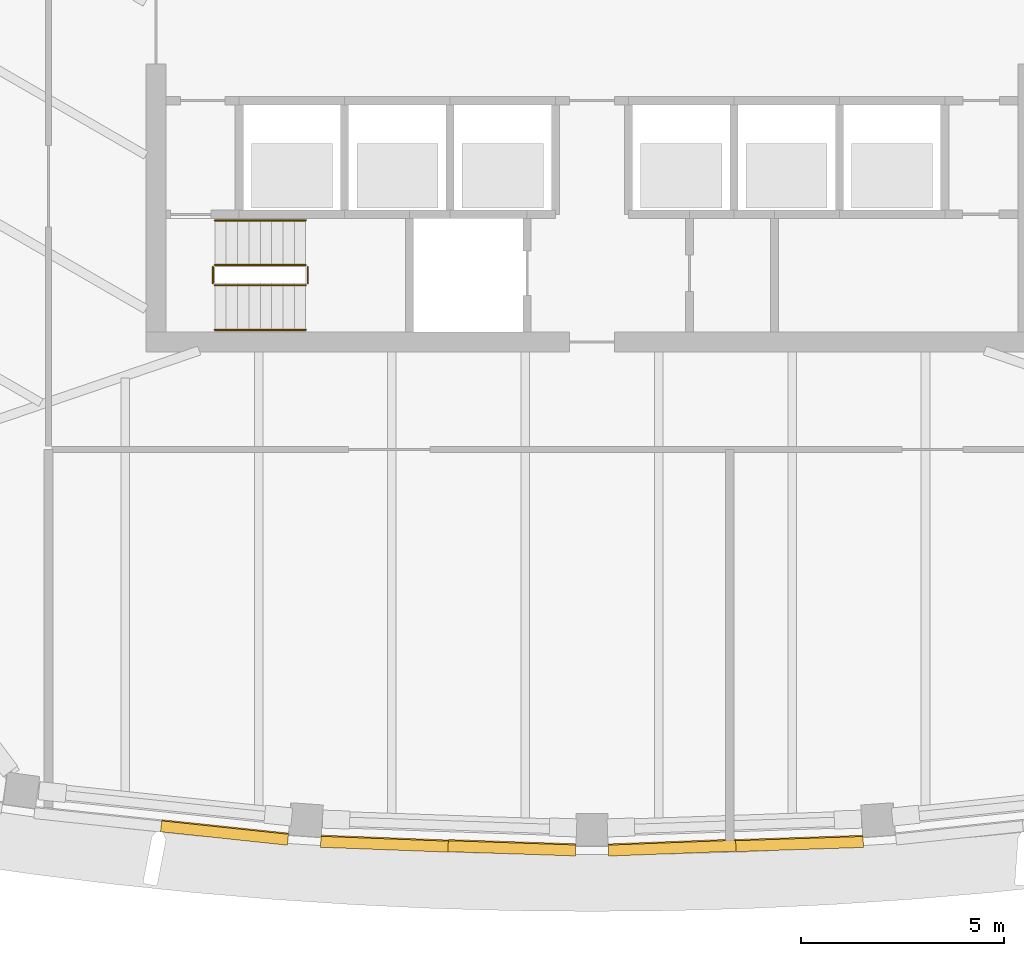
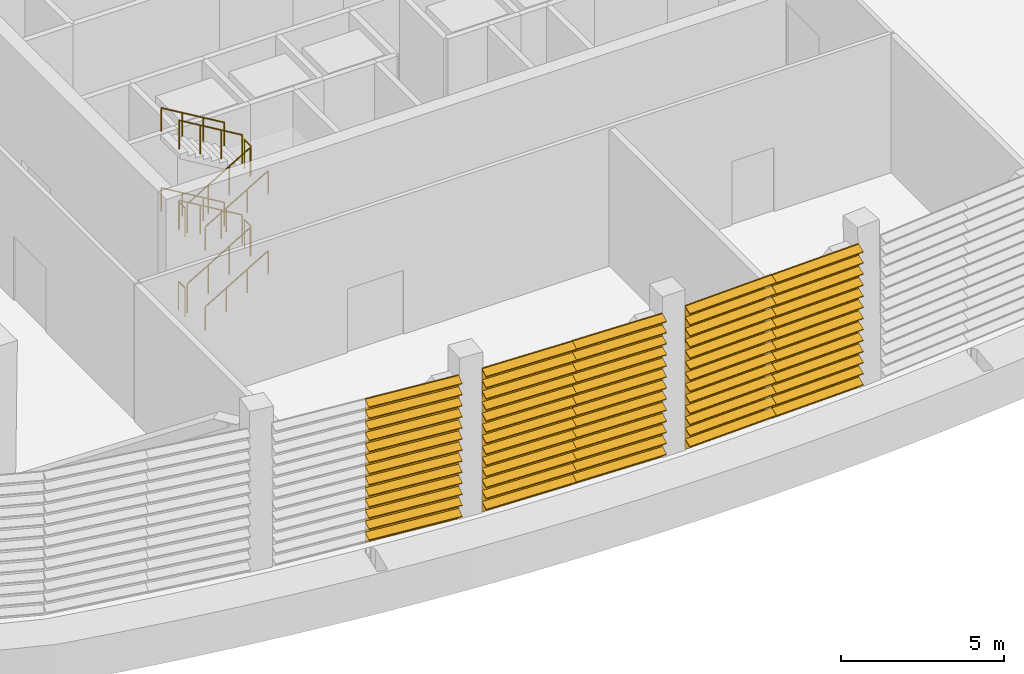
# One storey, part 8 of 15: 12 railings, 5 shading devices.
"""IFC4 building model written with IfcOpenShell, lengths in metres."""

from ifc_helpers import new_model, si_unit, direction, frame, origin, origin_2d, place, context, subcontext, project, spatial, polyline, circle, outline, extrude, material, type_object, element, save


model = new_model("IFC4")

# Units and contexts
model_context = context("Model", 3, precision=1e-05, world=origin(), true_north=direction((0.0, 1.0)))
body_context = subcontext(model_context, "Body", "Model", "MODEL_VIEW")
ifc_project = project(units=[si_unit("LENGTHUNIT", "METRE"), si_unit("AREAUNIT", "SQUARE_METRE"), si_unit("VOLUMEUNIT", "CUBIC_METRE"), si_unit("PLANEANGLEUNIT", "RADIAN"), si_unit("MASSUNIT", "GRAM", prefix="KILO")], contexts=[model_context])

# Site, building, storey
site_placement = place(None, origin())
site = spatial("IfcSite", under=ifc_project, at=site_placement, CompositionType="ELEMENT")
building_placement = place(site_placement, origin())
building = spatial("IfcBuilding", under=site, at=building_placement, Name="Sierra Prisma Convention Tower", CompositionType="ELEMENT")
storey_placement = place(building_placement, frame((0.0, 0.0, 324.39990234375)))
storey = spatial("IfcBuildingStorey", under=building, at=storey_placement, Name="L74", CompositionType="ELEMENT", Elevation=324.39990234375)

# Railings
ifc_material_1 = material(Name="Stainless steel", Category="steel")
railing_type_1 = type_object("IfcRailingType", Name="Exit stair handrail", PredefinedType="HANDRAIL", material=ifc_material_1)
railing_1_placement = place(storey_placement, frame((-9.300048828125, -7.449951171875, 0.166748046875)))
element("IfcRailing", 1, at=railing_1_placement, inside=storey, type_object=railing_type_1, Name="L74 S1 stair handrail 1", PredefinedType="HANDRAIL", context=body_context, shape_type="SweptSolid", body=[
    extrude(circle(Radius=0.02392578125, at=origin_2d()), frame((0.0, 0.0, 0.8759765625), z_axis=(0.859305625298, 0.0, 0.511462454469), x_axis=(0.0, 1.0, 0.0)), (0.0, 0.0, 1.0), 2.606689453125),
    extrude(circle(Radius=0.02099609375, at=origin_2d()), origin(), (0.0, 0.0, 1.0), 0.851806640625),
    extrude(circle(Radius=0.02099609375, at=origin_2d()), frame((0.74658203125, 0.0, 0.4443359375)), (0.0, 0.0, 1.0), 0.851806640625),
    extrude(circle(Radius=0.02099609375, at=origin_2d()), frame((1.493408203125, 0.0, 0.888916015625)), (0.0, 0.0, 1.0), 0.851806640625),
    extrude(circle(Radius=0.02099609375, at=origin_2d()), frame((2.239990234375, 0.0, 1.333251953125)), (0.0, 0.0, 1.0), 0.851806640625),
])
railing_2_placement = place(storey_placement, frame((-7.06005859375, -4.75, 1.666748046875)))
element("IfcRailing", 2, at=railing_2_placement, inside=storey, type_object=railing_type_1, Name="L74 S1 stair handrail 2", PredefinedType="HANDRAIL", context=body_context, shape_type="SweptSolid", body=[
    extrude(circle(Radius=0.02392578125, at=origin_2d()), frame((0.0, 0.0, 0.8759765625), z_axis=(-0.859305625298, 0.0, 0.511462454469), x_axis=(0.0, -1.0, 0.0)), (0.0, 0.0, 1.0), 2.606689453125),
    extrude(circle(Radius=0.02099609375, at=origin_2d()), origin(), (0.0, 0.0, 1.0), 0.851806640625),
    extrude(circle(Radius=0.02099609375, at=origin_2d()), frame((-0.74658203125, 0.0, 0.4443359375)), (0.0, 0.0, 1.0), 0.851806640625),
    extrude(circle(Radius=0.02099609375, at=origin_2d()), frame((-1.493408203125, 0.0, 0.888916015625)), (0.0, 0.0, 1.0), 0.851806640625),
    extrude(circle(Radius=0.02099609375, at=origin_2d()), frame((-2.239990234375, 0.0, 1.333251953125)), (0.0, 0.0, 1.0), 0.851806640625),
])
railing_3_placement = place(storey_placement, frame((-9.300048828125, -7.449951171875, 3.166748046875)))
element("IfcRailing", 3, at=railing_3_placement, inside=storey, type_object=railing_type_1, Name="L74 S1 stair handrail 3", PredefinedType="HANDRAIL", context=body_context, shape_type="SweptSolid", body=[
    extrude(circle(Radius=0.02392578125, at=origin_2d()), frame((0.0, 0.0, 0.8759765625), z_axis=(0.859305625298, 0.0, 0.511462454469), x_axis=(0.0, 1.0, 0.0)), (0.0, 0.0, 1.0), 2.606689453125),
    extrude(circle(Radius=0.02099609375, at=origin_2d()), origin(), (0.0, 0.0, 1.0), 0.851806640625),
    extrude(circle(Radius=0.02099609375, at=origin_2d()), frame((0.74658203125, 0.0, 0.4443359375)), (0.0, 0.0, 1.0), 0.851806640625),
    extrude(circle(Radius=0.02099609375, at=origin_2d()), frame((1.493408203125, 0.0, 0.888916015625)), (0.0, 0.0, 1.0), 0.851806640625),
    extrude(circle(Radius=0.02099609375, at=origin_2d()), frame((2.239990234375, 0.0, 1.333251953125)), (0.0, 0.0, 1.0), 0.851806640625),
])
railing_4_placement = place(storey_placement, frame((-7.06005859375, -4.75, 4.666748046875)))
element("IfcRailing", 4, at=railing_4_placement, inside=storey, type_object=railing_type_1, Name="L74 S1 stair handrail 4", PredefinedType="HANDRAIL", context=body_context, shape_type="SweptSolid", body=[
    extrude(circle(Radius=0.02392578125, at=origin_2d()), frame((0.0, 0.0, 0.8759765625), z_axis=(-0.859305625298, 0.0, 0.511462454469), x_axis=(0.0, -1.0, 0.0)), (0.0, 0.0, 1.0), 2.606689453125),
    extrude(circle(Radius=0.02099609375, at=origin_2d()), origin(), (0.0, 0.0, 1.0), 0.851806640625),
    extrude(circle(Radius=0.02099609375, at=origin_2d()), frame((-0.74658203125, 0.0, 0.4443359375)), (0.0, 0.0, 1.0), 0.851806640625),
    extrude(circle(Radius=0.02099609375, at=origin_2d()), frame((-1.493408203125, 0.0, 0.888916015625)), (0.0, 0.0, 1.0), 0.851806640625),
    extrude(circle(Radius=0.02099609375, at=origin_2d()), frame((-2.239990234375, 0.0, 1.333251953125)), (0.0, 0.0, 1.0), 0.851806640625),
])

# Shading devices
ifc_material_2 = material(Name="Aluminium 6063-T6 bronze anodised", Category="aluminium")
shading_device_type = type_object("IfcShadingDeviceType", Name="Louvre bay bronze", PredefinedType="USERDEFINED", material=ifc_material_2)
shading_device_1_placement = place(storey_placement, frame((-10.607421875, -19.529541015625, 0.0), z_axis=(-0.994453485759, 0.105177301079, 0.0), x_axis=(0.0, 0.0, 1.0)))
element("IfcShadingDevice", 5, at=shading_device_1_placement, inside=storey, type_object=shading_device_type, Name="Louvre L74 S2.2", ObjectType="LOUVRE", PredefinedType="USERDEFINED", context=body_context, shape_type="SweptSolid", body=[
    extrude(outline(polyline([(0.0, 0.0), (5.400146484375, 0.0), (5.400146484375, -0.029953767132957766), (5.380126953125, -0.029953767132957766), (5.260009765625, -0.29997188821662857), (5.22998046875, -0.29997188821662857), (5.35009765625, -0.029953767132957766), (4.984619140625, -0.029953767132957766), (4.964599609375, -0.029953767132957766), (4.8447265625, -0.29997188821662857), (4.814697265625, -0.29997188821662857), (4.934814453125, -0.029953767132957766), (4.5693359375, -0.029953767132957766), (4.54931640625, -0.029953767132957766), (4.429443359375, -0.29997188821662857), (4.3994140625, -0.29997188821662857), (4.519287109375, -0.029953767132957766), (4.154052734375, -0.029953767132957766), (4.134033203125, -0.029953767132957766), (4.013916015625, -0.29997188821662857), (3.98388671875, -0.29997188821662857), (4.10400390625, -0.029953767132957766), (3.738525390625, -0.029953767132957766), (3.718505859375, -0.029953767132957766), (3.5986328125, -0.29997188821662857), (3.568603515625, -0.29997188821662857), (3.6884765625, -0.029953767132957766), (3.3232421875, -0.029953767132957766), (3.30322265625, -0.029953767132957766), (3.18310546875, -0.29997188821662857), (3.153076171875, -0.29997188821662857), (3.273193359375, -0.029953767132957766), (2.90771484375, -0.029953767132957766), (2.8876953125, -0.029953767132957766), (2.767822265625, -0.29997188821662857), (2.73779296875, -0.29997188821662857), (2.85791015625, -0.029953767132957766), (2.492431640625, -0.029953767132957766), (2.472412109375, -0.029953767132957766), (2.352294921875, -0.29997188821662857), (2.322509765625, -0.29997188821662857), (2.4423828125, -0.029953767132957766), (2.076904296875, -0.029953767132957766), (2.05712890625, -0.029953767132957766), (1.93701171875, -0.29997188821662857), (1.906982421875, -0.29997188821662857), (2.027099609375, -0.029953767132957766), (1.66162109375, -0.029953767132957766), (1.6416015625, -0.029953767132957766), (1.521728515625, -0.29997188821662857), (1.49169921875, -0.29997188821662857), (1.611572265625, -0.029953767132957766), (1.246337890625, -0.029953767132957766), (1.226318359375, -0.029953767132957766), (1.106201171875, -0.29997188821662857), (1.076171875, -0.29997188821662857), (1.1962890625, -0.029953767132957766), (0.830810546875, -0.029953767132957766), (0.810791015625, -0.029953767132957766), (0.69091796875, -0.29997188821662857), (0.660888671875, -0.29997188821662857), (0.78076171875, -0.029953767132957766), (0.41552734375, -0.029953767132957766), (0.3955078125, -0.029953767132957766), (0.275390625, -0.29997188821662857), (0.245361328125, -0.29997188821662857), (0.365478515625, -0.029953767132957766), (0.0, -0.029953767132957766), (0.0, 0.0)])), origin(), (0.0, 0.0, -1.0), 3.1435546875),
])
shading_device_2_placement = place(storey_placement, frame((-6.68310546875, -19.91015625, 0.0), z_axis=(-0.999271690728, 0.038158722591, 0.0), x_axis=(0.0, 0.0, 1.0)))
element("IfcShadingDevice", 6, at=shading_device_2_placement, inside=storey, type_object=shading_device_type, Name="Louvre L74 S3.1", ObjectType="LOUVRE", PredefinedType="USERDEFINED", context=body_context, shape_type="SweptSolid", body=[
    extrude(outline(polyline([(0.0, 0.0), (5.400146484375, 0.0), (5.400146484375, -0.03005400673156452), (5.380126953125, -0.03005400673156452), (5.260009765625, -0.2999869290247296), (5.22998046875, -0.2999869290247296), (5.35009765625, -0.03005400673156452), (4.984619140625, -0.03005400673156452), (4.964599609375, -0.03005400673156452), (4.8447265625, -0.2999869290247296), (4.814697265625, -0.2999869290247296), (4.934814453125, -0.03005400673156452), (4.5693359375, -0.03005400673156452), (4.54931640625, -0.03005400673156452), (4.429443359375, -0.2999869290247296), (4.3994140625, -0.2999869290247296), (4.519287109375, -0.03005400673156452), (4.154052734375, -0.03005400673156452), (4.134033203125, -0.03005400673156452), (4.013916015625, -0.2999869290247296), (3.98388671875, -0.2999869290247296), (4.10400390625, -0.03005400673156452), (3.738525390625, -0.03005400673156452), (3.718505859375, -0.03005400673156452), (3.5986328125, -0.2999869290247296), (3.568603515625, -0.2999869290247296), (3.6884765625, -0.03005400673156452), (3.3232421875, -0.03005400673156452), (3.30322265625, -0.03005400673156452), (3.18310546875, -0.2999869290247296), (3.153076171875, -0.2999869290247296), (3.273193359375, -0.03005400673156452), (2.90771484375, -0.03005400673156452), (2.8876953125, -0.03005400673156452), (2.767822265625, -0.2999869290247296), (2.73779296875, -0.2999869290247296), (2.85791015625, -0.03005400673156452), (2.492431640625, -0.03005400673156452), (2.472412109375, -0.03005400673156452), (2.352294921875, -0.2999869290247296), (2.322509765625, -0.2999869290247296), (2.4423828125, -0.03005400673156452), (2.076904296875, -0.03005400673156452), (2.05712890625, -0.03005400673156452), (1.93701171875, -0.2999869290247296), (1.906982421875, -0.2999869290247296), (2.027099609375, -0.03005400673156452), (1.66162109375, -0.03005400673156452), (1.6416015625, -0.03005400673156452), (1.521728515625, -0.2999869290247296), (1.49169921875, -0.2999869290247296), (1.611572265625, -0.03005400673156452), (1.246337890625, -0.03005400673156452), (1.226318359375, -0.03005400673156452), (1.106201171875, -0.2999869290247296), (1.076171875, -0.2999869290247296), (1.1962890625, -0.03005400673156452), (0.830810546875, -0.03005400673156452), (0.810791015625, -0.03005400673156452), (0.69091796875, -0.2999869290247296), (0.660888671875, -0.2999869290247296), (0.78076171875, -0.03005400673156452), (0.41552734375, -0.03005400673156452), (0.3955078125, -0.03005400673156452), (0.275390625, -0.2999869290247296), (0.245361328125, -0.2999869290247296), (0.365478515625, -0.03005400673156452), (0.0, -0.03005400673156452), (0.0, 0.0)])), origin(), (0.0, 0.0, -1.0), 3.1435546875),
])
shading_device_3_placement = place(storey_placement, frame((-3.54150390625, -20.01904296875, 0.0), z_axis=(-0.999442400883, 0.033389928368, 0.0), x_axis=(0.0, 0.0, 1.0)))
element("IfcShadingDevice", 7, at=shading_device_3_placement, inside=storey, type_object=shading_device_type, Name="Louvre L74 S3.2", ObjectType="LOUVRE", PredefinedType="USERDEFINED", context=body_context, shape_type="SweptSolid", body=[
    extrude(outline(polyline([(0.0, 0.0), (5.400146484375, 0.0), (5.400146484375, -0.029801155425109162), (5.380126953125, -0.029801155425109162), (5.260009765625, -0.2999798938662778), (5.22998046875, -0.2999798938662778), (5.35009765625, -0.029801155425109162), (4.984619140625, -0.029801155425109162), (4.964599609375, -0.029801155425109162), (4.8447265625, -0.2999798938662778), (4.814697265625, -0.2999798938662778), (4.934814453125, -0.029801155425109162), (4.5693359375, -0.029801155425109162), (4.54931640625, -0.029801155425109162), (4.429443359375, -0.2999798938662778), (4.3994140625, -0.2999798938662778), (4.519287109375, -0.029801155425109162), (4.154052734375, -0.029801155425109162), (4.134033203125, -0.029801155425109162), (4.013916015625, -0.2999798938662778), (3.98388671875, -0.2999798938662778), (4.10400390625, -0.029801155425109162), (3.738525390625, -0.029801155425109162), (3.718505859375, -0.029801155425109162), (3.5986328125, -0.2999798938662778), (3.568603515625, -0.2999798938662778), (3.6884765625, -0.029801155425109162), (3.3232421875, -0.029801155425109162), (3.30322265625, -0.029801155425109162), (3.18310546875, -0.2999798938662778), (3.153076171875, -0.2999798938662778), (3.273193359375, -0.029801155425109162), (2.90771484375, -0.029801155425109162), (2.8876953125, -0.029801155425109162), (2.767822265625, -0.2999798938662778), (2.73779296875, -0.2999798938662778), (2.85791015625, -0.029801155425109162), (2.492431640625, -0.029801155425109162), (2.472412109375, -0.029801155425109162), (2.352294921875, -0.2999798938662778), (2.322509765625, -0.2999798938662778), (2.4423828125, -0.029801155425109162), (2.076904296875, -0.029801155425109162), (2.05712890625, -0.029801155425109162), (1.93701171875, -0.2999798938662778), (1.906982421875, -0.2999798938662778), (2.027099609375, -0.029801155425109162), (1.66162109375, -0.029801155425109162), (1.6416015625, -0.029801155425109162), (1.521728515625, -0.2999798938662778), (1.49169921875, -0.2999798938662778), (1.611572265625, -0.029801155425109162), (1.246337890625, -0.029801155425109162), (1.226318359375, -0.029801155425109162), (1.106201171875, -0.2999798938662778), (1.076171875, -0.2999798938662778), (1.1962890625, -0.029801155425109162), (0.830810546875, -0.029801155425109162), (0.810791015625, -0.029801155425109162), (0.69091796875, -0.2999798938662778), (0.660888671875, -0.2999798938662778), (0.78076171875, -0.029801155425109162), (0.41552734375, -0.029801155425109162), (0.3955078125, -0.029801155425109162), (0.275390625, -0.2999798938662778), (0.245361328125, -0.2999798938662778), (0.365478515625, -0.029801155425109162), (0.0, -0.029801155425109162), (0.0, 0.0)])), origin(), (0.0, 0.0, -1.0), 3.1435546875),
])
shading_device_4_placement = place(storey_placement, frame((0.399658203125, -20.127685546875, 0.0), z_axis=(-0.999264988534, -0.038333832182, 0.0), x_axis=(0.0, 0.0, 1.0)))
element("IfcShadingDevice", 8, at=shading_device_4_placement, inside=storey, type_object=shading_device_type, Name="Louvre L74 S4.1", ObjectType="LOUVRE", PredefinedType="USERDEFINED", context=body_context, shape_type="SweptSolid", body=[
    extrude(outline(polyline([(0.0, 0.0), (5.400146484375, 0.0), (5.400146484375, -0.02981005804738322), (5.380126953125, -0.02981005804738322), (5.260009765625, -0.2999867579843299), (5.22998046875, -0.2999867579843299), (5.35009765625, -0.02981005804738322), (4.984619140625, -0.02981005804738322), (4.964599609375, -0.02981005804738322), (4.8447265625, -0.2999867579843299), (4.814697265625, -0.2999867579843299), (4.934814453125, -0.02981005804738322), (4.5693359375, -0.02981005804738322), (4.54931640625, -0.02981005804738322), (4.429443359375, -0.2999867579843299), (4.3994140625, -0.2999867579843299), (4.519287109375, -0.02981005804738322), (4.154052734375, -0.02981005804738322), (4.134033203125, -0.02981005804738322), (4.013916015625, -0.2999867579843299), (3.98388671875, -0.2999867579843299), (4.10400390625, -0.02981005804738322), (3.738525390625, -0.02981005804738322), (3.718505859375, -0.02981005804738322), (3.5986328125, -0.2999867579843299), (3.568603515625, -0.2999867579843299), (3.6884765625, -0.02981005804738322), (3.3232421875, -0.02981005804738322), (3.30322265625, -0.02981005804738322), (3.18310546875, -0.2999867579843299), (3.153076171875, -0.2999867579843299), (3.273193359375, -0.02981005804738322), (2.90771484375, -0.02981005804738322), (2.8876953125, -0.02981005804738322), (2.767822265625, -0.2999867579843299), (2.73779296875, -0.2999867579843299), (2.85791015625, -0.02981005804738322), (2.492431640625, -0.02981005804738322), (2.472412109375, -0.02981005804738322), (2.352294921875, -0.2999867579843299), (2.322509765625, -0.2999867579843299), (2.4423828125, -0.02981005804738322), (2.076904296875, -0.02981005804738322), (2.05712890625, -0.02981005804738322), (1.93701171875, -0.2999867579843299), (1.906982421875, -0.2999867579843299), (2.027099609375, -0.02981005804738322), (1.66162109375, -0.02981005804738322), (1.6416015625, -0.02981005804738322), (1.521728515625, -0.2999867579843299), (1.49169921875, -0.2999867579843299), (1.611572265625, -0.02981005804738322), (1.246337890625, -0.02981005804738322), (1.226318359375, -0.02981005804738322), (1.106201171875, -0.2999867579843299), (1.076171875, -0.2999867579843299), (1.1962890625, -0.02981005804738322), (0.830810546875, -0.02981005804738322), (0.810791015625, -0.02981005804738322), (0.69091796875, -0.2999867579843299), (0.660888671875, -0.2999867579843299), (0.78076171875, -0.02981005804738322), (0.41552734375, -0.02981005804738322), (0.3955078125, -0.02981005804738322), (0.275390625, -0.2999867579843299), (0.245361328125, -0.2999867579843299), (0.365478515625, -0.02981005804738322), (0.0, -0.02981005804738322), (0.0, 0.0)])), origin(), (0.0, 0.0, -1.0), 3.1435546875),
])
shading_device_5_placement = place(storey_placement, frame((3.54150390625, -20.01904296875, 0.0), z_axis=(-0.999442400883, -0.033389928368, 0.0), x_axis=(0.0, 0.0, 1.0)))
element("IfcShadingDevice", 9, at=shading_device_5_placement, inside=storey, type_object=shading_device_type, Name="Louvre L74 S4.2", ObjectType="LOUVRE", PredefinedType="USERDEFINED", context=body_context, shape_type="SweptSolid", body=[
    extrude(outline(polyline([(0.0, 0.0), (5.400146484375, 0.0), (5.400146484375, -0.029801155425109162), (5.380126953125, -0.029801155425109162), (5.260009765625, -0.2999798938662778), (5.22998046875, -0.2999798938662778), (5.35009765625, -0.029801155425109162), (4.984619140625, -0.029801155425109162), (4.964599609375, -0.029801155425109162), (4.8447265625, -0.2999798938662778), (4.814697265625, -0.2999798938662778), (4.934814453125, -0.029801155425109162), (4.5693359375, -0.029801155425109162), (4.54931640625, -0.029801155425109162), (4.429443359375, -0.2999798938662778), (4.3994140625, -0.2999798938662778), (4.519287109375, -0.029801155425109162), (4.154052734375, -0.029801155425109162), (4.134033203125, -0.029801155425109162), (4.013916015625, -0.2999798938662778), (3.98388671875, -0.2999798938662778), (4.10400390625, -0.029801155425109162), (3.738525390625, -0.029801155425109162), (3.718505859375, -0.029801155425109162), (3.5986328125, -0.2999798938662778), (3.568603515625, -0.2999798938662778), (3.6884765625, -0.029801155425109162), (3.3232421875, -0.029801155425109162), (3.30322265625, -0.029801155425109162), (3.18310546875, -0.2999798938662778), (3.153076171875, -0.2999798938662778), (3.273193359375, -0.029801155425109162), (2.90771484375, -0.029801155425109162), (2.8876953125, -0.029801155425109162), (2.767822265625, -0.2999798938662778), (2.73779296875, -0.2999798938662778), (2.85791015625, -0.029801155425109162), (2.492431640625, -0.029801155425109162), (2.472412109375, -0.029801155425109162), (2.352294921875, -0.2999798938662778), (2.322509765625, -0.2999798938662778), (2.4423828125, -0.029801155425109162), (2.076904296875, -0.029801155425109162), (2.05712890625, -0.029801155425109162), (1.93701171875, -0.2999798938662778), (1.906982421875, -0.2999798938662778), (2.027099609375, -0.029801155425109162), (1.66162109375, -0.029801155425109162), (1.6416015625, -0.029801155425109162), (1.521728515625, -0.2999798938662778), (1.49169921875, -0.2999798938662778), (1.611572265625, -0.029801155425109162), (1.246337890625, -0.029801155425109162), (1.226318359375, -0.029801155425109162), (1.106201171875, -0.2999798938662778), (1.076171875, -0.2999798938662778), (1.1962890625, -0.029801155425109162), (0.830810546875, -0.029801155425109162), (0.810791015625, -0.029801155425109162), (0.69091796875, -0.2999798938662778), (0.660888671875, -0.2999798938662778), (0.78076171875, -0.029801155425109162), (0.41552734375, -0.029801155425109162), (0.3955078125, -0.029801155425109162), (0.275390625, -0.2999798938662778), (0.245361328125, -0.2999798938662778), (0.365478515625, -0.029801155425109162), (0.0, -0.029801155425109162), (0.0, 0.0)])), origin(), (0.0, 0.0, -1.0), 3.1435546875),
])

# Railings
ifc_material_3 = material(Name="Stainless steel", Category="steel")
railing_type_2 = type_object("IfcRailingType", Name="Stair guard 1100", PredefinedType="GUARDRAIL", material=ifc_material_3)
railing_5_placement = place(storey_placement, frame((-9.300048828125, -6.35009765625, 0.166748046875)))
element("IfcRailing", 10, at=railing_5_placement, inside=storey, type_object=railing_type_2, Name="L74 S1 stair guard 1", PredefinedType="GUARDRAIL", context=body_context, shape_type="SweptSolid", body=[
    extrude(circle(Radius=0.02392578125, at=origin_2d()), frame((0.0, 0.0, 1.076171875), z_axis=(0.859305625298, 0.0, 0.511462454469), x_axis=(0.0, 1.0, 0.0)), (0.0, 0.0, 1.0), 2.606689453125),
    extrude(circle(Radius=0.02099609375, at=origin_2d()), origin(), (0.0, 0.0, 1.0), 1.052001953125),
    extrude(circle(Radius=0.02099609375, at=origin_2d()), frame((0.74658203125, 0.0, 0.4443359375)), (0.0, 0.0, 1.0), 1.052001953125),
    extrude(circle(Radius=0.02099609375, at=origin_2d()), frame((1.493408203125, 0.0, 0.888916015625)), (0.0, 0.0, 1.0), 1.052001953125),
    extrude(circle(Radius=0.02099609375, at=origin_2d()), frame((2.239990234375, 0.0, 1.333251953125)), (0.0, 0.0, 1.0), 1.052001953125),
])
railing_6_placement = place(storey_placement, frame((-7.010009765625, -6.300048828125, 1.5)))
element("IfcRailing", 11, at=railing_6_placement, inside=storey, type_object=railing_type_2, Name="L74 S1 stair guard 2", PredefinedType="GUARDRAIL", context=body_context, shape_type="SweptSolid", body=[
    extrude(circle(Radius=0.02392578125, at=origin_2d()), frame((0.0, 0.0, 1.076171875), z_axis=(0.0, 1.0, 0.0), x_axis=(-1.0, 0.0, 0.0)), (0.0, 0.0, 1.0), 0.400146484375),
    extrude(circle(Radius=0.02099609375, at=origin_2d()), origin(), (0.0, 0.0, 1.0), 1.052001953125),
    extrude(circle(Radius=0.02099609375, at=origin_2d()), frame((0.0, 0.400146484375, 0.0)), (0.0, 0.0, 1.0), 1.052001953125),
])
railing_7_placement = place(storey_placement, frame((-7.06005859375, -5.85009765625, 1.666748046875)))
element("IfcRailing", 12, at=railing_7_placement, inside=storey, type_object=railing_type_2, Name="L74 S1 stair guard 3", PredefinedType="GUARDRAIL", context=body_context, shape_type="SweptSolid", body=[
    extrude(circle(Radius=0.02392578125, at=origin_2d()), frame((0.0, 0.0, 1.076171875), z_axis=(-0.859305625298, 0.0, 0.511462454469), x_axis=(0.0, -1.0, 0.0)), (0.0, 0.0, 1.0), 2.606689453125),
    extrude(circle(Radius=0.02099609375, at=origin_2d()), origin(), (0.0, 0.0, 1.0), 1.052001953125),
    extrude(circle(Radius=0.02099609375, at=origin_2d()), frame((-0.74658203125, 0.0, 0.4443359375)), (0.0, 0.0, 1.0), 1.052001953125),
    extrude(circle(Radius=0.02099609375, at=origin_2d()), frame((-1.493408203125, 0.0, 0.888916015625)), (0.0, 0.0, 1.0), 1.052001953125),
    extrude(circle(Radius=0.02099609375, at=origin_2d()), frame((-2.239990234375, 0.0, 1.333251953125)), (0.0, 0.0, 1.0), 1.052001953125),
])
railing_8_placement = place(storey_placement, frame((-9.35009765625, -6.300048828125, 3.0)))
element("IfcRailing", 13, at=railing_8_placement, inside=storey, type_object=railing_type_2, Name="L74 S1 stair guard 4", PredefinedType="GUARDRAIL", context=body_context, shape_type="SweptSolid", body=[
    extrude(circle(Radius=0.02392578125, at=origin_2d()), frame((0.0, 0.0, 1.076171875), z_axis=(0.0, 1.0, 0.0), x_axis=(-1.0, 0.0, 0.0)), (0.0, 0.0, 1.0), 0.400146484375),
    extrude(circle(Radius=0.02099609375, at=origin_2d()), origin(), (0.0, 0.0, 1.0), 1.052001953125),
    extrude(circle(Radius=0.02099609375, at=origin_2d()), frame((0.0, 0.400146484375, 0.0)), (0.0, 0.0, 1.0), 1.052001953125),
])
railing_9_placement = place(storey_placement, frame((-9.300048828125, -6.35009765625, 3.166748046875)))
element("IfcRailing", 14, at=railing_9_placement, inside=storey, type_object=railing_type_2, Name="L74 S1 stair guard 5", PredefinedType="GUARDRAIL", context=body_context, shape_type="SweptSolid", body=[
    extrude(circle(Radius=0.02392578125, at=origin_2d()), frame((0.0, 0.0, 1.076171875), z_axis=(0.859305625298, 0.0, 0.511462454469), x_axis=(0.0, 1.0, 0.0)), (0.0, 0.0, 1.0), 2.606689453125),
    extrude(circle(Radius=0.02099609375, at=origin_2d()), origin(), (0.0, 0.0, 1.0), 1.052001953125),
    extrude(circle(Radius=0.02099609375, at=origin_2d()), frame((0.74658203125, 0.0, 0.4443359375)), (0.0, 0.0, 1.0), 1.052001953125),
    extrude(circle(Radius=0.02099609375, at=origin_2d()), frame((1.493408203125, 0.0, 0.888916015625)), (0.0, 0.0, 1.0), 1.052001953125),
    extrude(circle(Radius=0.02099609375, at=origin_2d()), frame((2.239990234375, 0.0, 1.333251953125)), (0.0, 0.0, 1.0), 1.052001953125),
])
railing_10_placement = place(storey_placement, frame((-7.010009765625, -6.300048828125, 4.5)))
element("IfcRailing", 15, at=railing_10_placement, inside=storey, type_object=railing_type_2, Name="L74 S1 stair guard 6", PredefinedType="GUARDRAIL", context=body_context, shape_type="SweptSolid", body=[
    extrude(circle(Radius=0.02392578125, at=origin_2d()), frame((0.0, 0.0, 1.076171875), z_axis=(0.0, 1.0, 0.0), x_axis=(-1.0, 0.0, 0.0)), (0.0, 0.0, 1.0), 0.400146484375),
    extrude(circle(Radius=0.02099609375, at=origin_2d()), origin(), (0.0, 0.0, 1.0), 1.052001953125),
    extrude(circle(Radius=0.02099609375, at=origin_2d()), frame((0.0, 0.400146484375, 0.0)), (0.0, 0.0, 1.0), 1.052001953125),
])
railing_11_placement = place(storey_placement, frame((-7.06005859375, -5.85009765625, 4.666748046875)))
element("IfcRailing", 16, at=railing_11_placement, inside=storey, type_object=railing_type_2, Name="L74 S1 stair guard 7", PredefinedType="GUARDRAIL", context=body_context, shape_type="SweptSolid", body=[
    extrude(circle(Radius=0.02392578125, at=origin_2d()), frame((0.0, 0.0, 1.076171875), z_axis=(-0.859305625298, 0.0, 0.511462454469), x_axis=(0.0, -1.0, 0.0)), (0.0, 0.0, 1.0), 2.606689453125),
    extrude(circle(Radius=0.02099609375, at=origin_2d()), origin(), (0.0, 0.0, 1.0), 1.052001953125),
    extrude(circle(Radius=0.02099609375, at=origin_2d()), frame((-0.74658203125, 0.0, 0.4443359375)), (0.0, 0.0, 1.0), 1.052001953125),
    extrude(circle(Radius=0.02099609375, at=origin_2d()), frame((-1.493408203125, 0.0, 0.888916015625)), (0.0, 0.0, 1.0), 1.052001953125),
    extrude(circle(Radius=0.02099609375, at=origin_2d()), frame((-2.239990234375, 0.0, 1.333251953125)), (0.0, 0.0, 1.0), 1.052001953125),
])
railing_12_placement = place(storey_placement, frame((-9.35009765625, -6.300048828125, 0.0)))
element("IfcRailing", 17, at=railing_12_placement, inside=storey, type_object=railing_type_2, Name="L74 S1 stair guard 8", PredefinedType="GUARDRAIL", context=body_context, shape_type="SweptSolid", body=[
    extrude(circle(Radius=0.02392578125, at=origin_2d()), frame((0.0, 0.0, 1.076171875), z_axis=(0.0, 1.0, 0.0), x_axis=(-1.0, 0.0, 0.0)), (0.0, 0.0, 1.0), 0.400146484375),
    extrude(circle(Radius=0.02099609375, at=origin_2d()), origin(), (0.0, 0.0, 1.0), 1.052001953125),
    extrude(circle(Radius=0.02099609375, at=origin_2d()), frame((0.0, 0.400146484375, 0.0)), (0.0, 0.0, 1.0), 1.052001953125),
])

save(model, "model.ifc")
